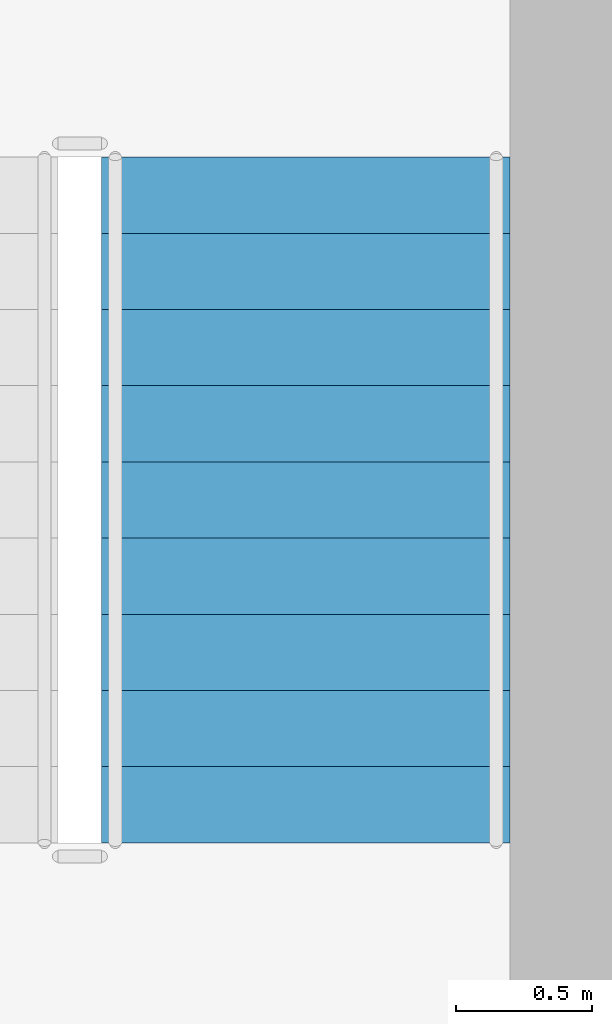
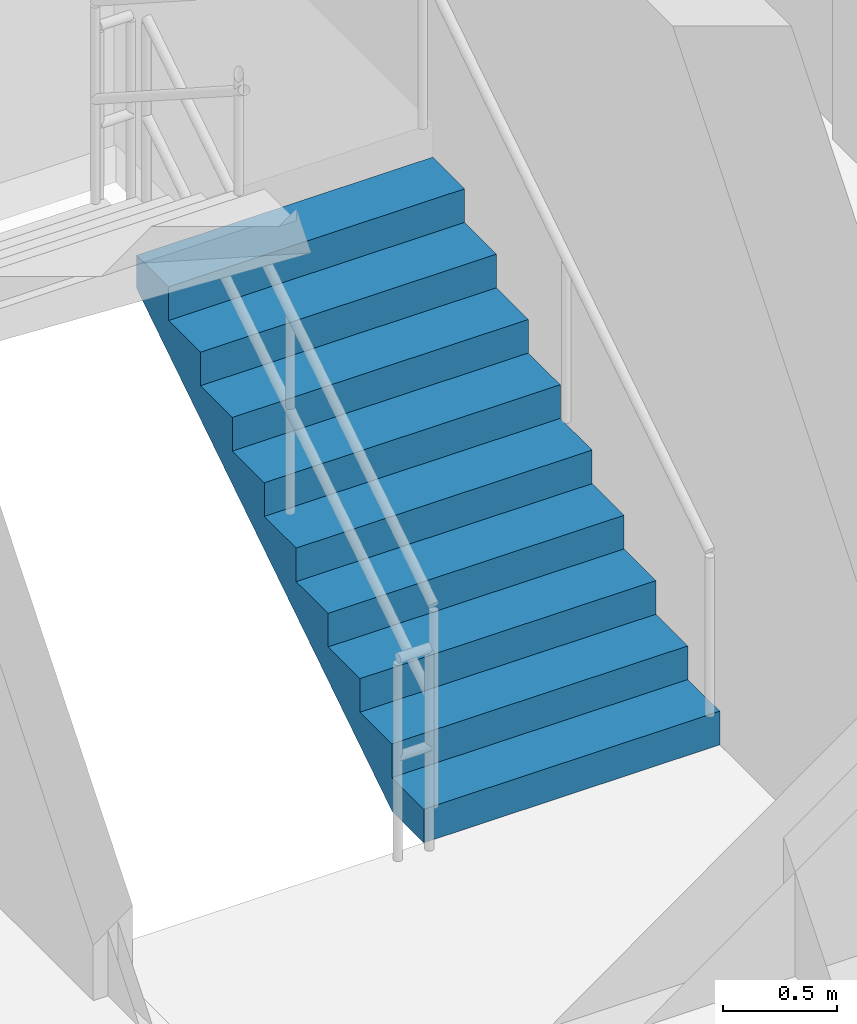
# One storey, part 12 of 15: 1 stair flight, 1 element without a shape of its own.
"""IFC4 building model written with IfcOpenShell, lengths in metres."""

from ifc_helpers import new_model, si_unit, derived_unit, direction, frame, origin, place, context, subcontext, project, spatial, polyline, outline, extrude, material, type_object, element, aggregate, save


model = new_model("IFC4")

# Units and contexts
model_context = context("Model", 3, precision=1e-05, world=origin(), true_north=direction((0.0, 1.0)))
body_context = subcontext(model_context, "Body", "Model", "MODEL_VIEW")
ifc_project = project(units=[si_unit("LENGTHUNIT", "METRE"), si_unit("AREAUNIT", "SQUARE_METRE"), si_unit("VOLUMEUNIT", "CUBIC_METRE"), si_unit("PLANEANGLEUNIT", "RADIAN"), si_unit("MASSUNIT", "GRAM", prefix="KILO"), derived_unit("THERMALTRANSMITTANCEUNIT", [(si_unit("POWERUNIT", "WATT"), 1), (si_unit("LENGTHUNIT", "METRE"), -2), (si_unit("THERMODYNAMICTEMPERATUREUNIT", "KELVIN"), -1)])], contexts=[model_context])

# Site, building, storey
site_placement = place(None, origin())
site = spatial("IfcSite", under=ifc_project, at=site_placement, CompositionType="ELEMENT")
building_placement = place(site_placement, origin())
building = spatial("IfcBuilding", under=site, at=building_placement, Name="Korsvarv Bourse and Concert Hall", CompositionType="ELEMENT")
storey_placement = place(building_placement, frame((0.0, 0.0, 113.39990234375)))
storey = spatial("IfcBuildingStorey", under=building, at=storey_placement, Name="L28", CompositionType="ELEMENT", Elevation=113.39990234375)

# Stair, stair flight
ifc_material = material(Name="Precast concrete C45/55", Category="concrete")
stair_type = type_object("IfcStairType", Name="STR-TYPE-04", PredefinedType="HALF_TURN_STAIR", material=ifc_material)
stair_placement = place(storey_placement, origin())
stair = element("IfcStair", 1, at=stair_placement, inside=storey, type_object=stair_type, Name="L28 Tower East Exit Stair ST-T2", PredefinedType="HALF_TURN_STAIR")
stair_flight_type = type_object("IfcStairFlightType", Name="FLT-TYPE-04", PredefinedType="STRAIGHT", material=ifc_material)
stair_flight_placement = place(storey_placement, frame((43.64990234375, 40.0, 0.0), z_axis=(0.0, 0.0, 1.0), x_axis=(0.0, 1.0, 0.0)))
stair_flight = element("IfcStairFlight", 2, at=stair_flight_placement, type_object=stair_flight_type, Name="ST-T2 flight 1", NumberOfRisers=10, NumberOfTreads=9, PredefinedType="STRAIGHT", RiserHeight=0.18, TreadLength=0.28, context=body_context, shape_type="SweptSolid", body=[
    extrude(outline(polyline([(0.0, 0.0), (0.0, 0.179931640625), (0.280029296875, 0.179931640625), (0.280029296875, 0.360107421875), (0.56005859375, 0.360107421875), (0.56005859375, 0.5400390625), (0.840087890625, 0.5400390625), (0.840087890625, 0.719970703125), (1.1201171875, 0.719970703125), (1.1201171875, 0.89990234375), (1.39990234375, 0.89990234375), (1.39990234375, 1.080078125), (1.679931640625, 1.080078125), (1.679931640625, 1.260009765625), (1.9599609375, 1.260009765625), (1.9599609375, 1.43994140625), (2.239990234375, 1.43994140625), (2.239990234375, 1.6201171875), (2.52001953125, 1.6201171875), (2.52001953125, 1.800048828125), (2.52001953125, 1.44189453125), (0.277099609375, 0.0), (0.0, 0.0)])), frame((0.0, 0.75, 0.0), z_axis=(0.0, -1.0, 0.0), x_axis=(1.0, 0.0, 0.0)), (0.0, 0.0, 1.0), 1.5),
])
aggregate(stair, [stair_flight])

save(model, "model.ifc")
